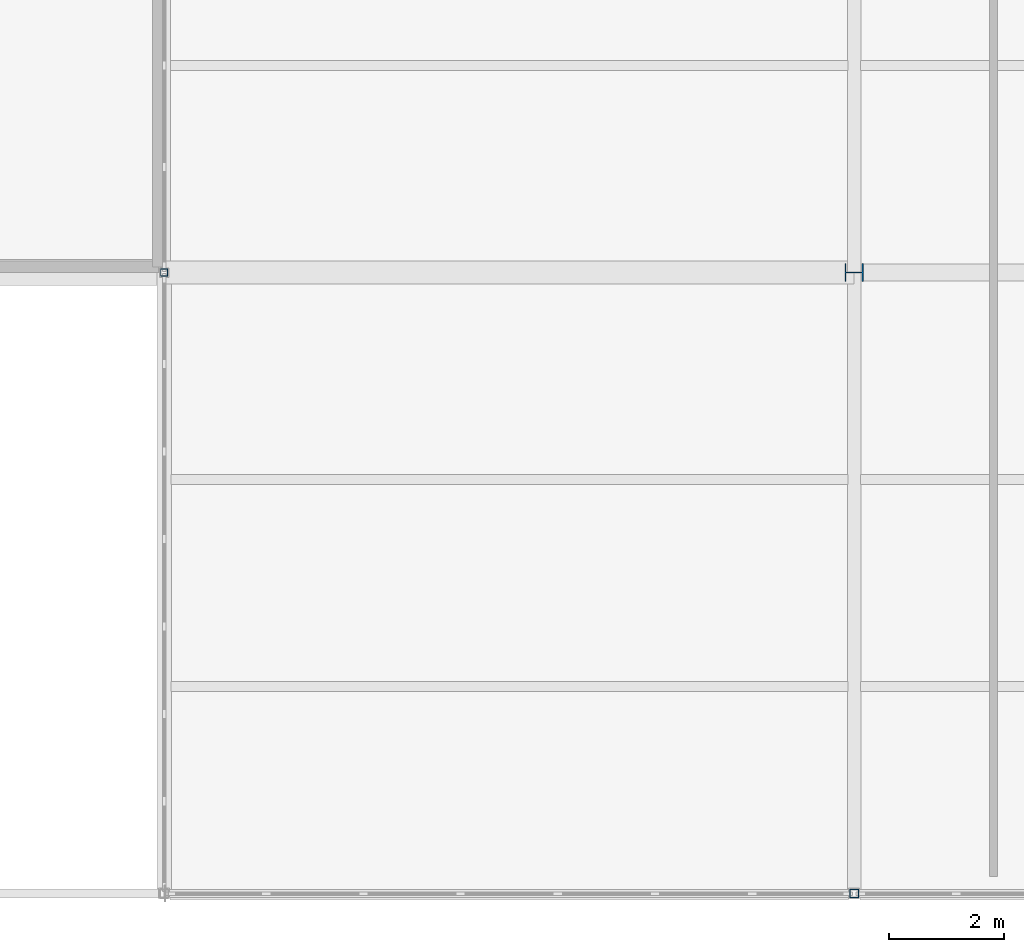
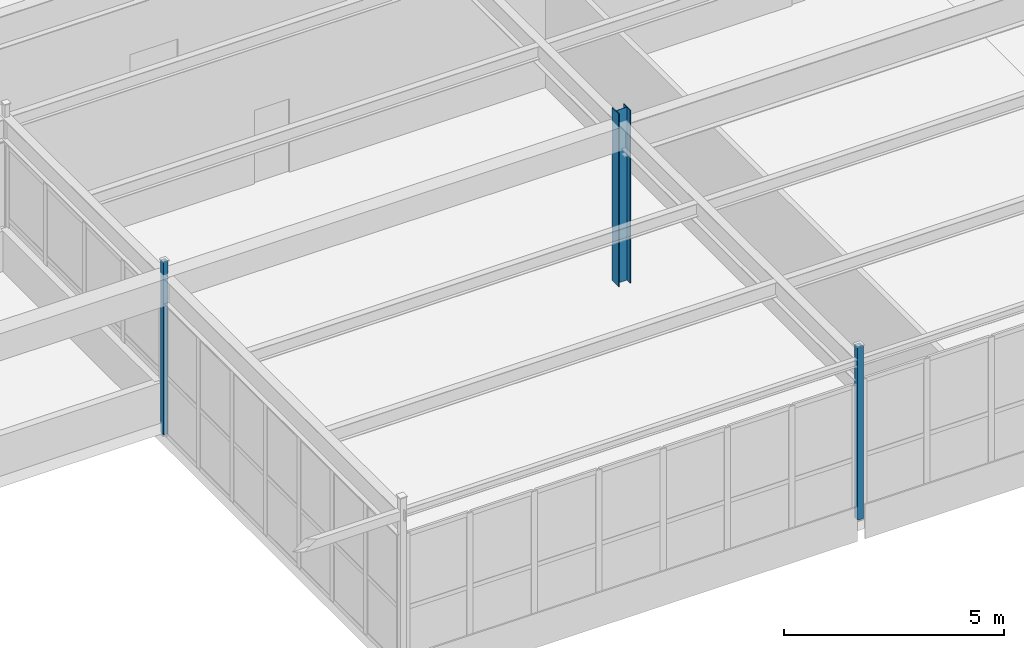
# One storey, part 39 of 226: 3 columns.
"""IFC4 building model written with IfcOpenShell, lengths in metres."""

from ifc_helpers import new_model, si_unit, direction, frame, origin, origin_2d, place, context, subcontext, project, spatial, hollow_rectangle, i_section, extrude, material, material_profile, profile_set, type_object, element, save


model = new_model("IFC4")

# Units and contexts
model_context = context("Model", 3, precision=1e-05, world=origin(), true_north=direction((0.0, 1.0)))
body_context = subcontext(model_context, "Body", "Model", "MODEL_VIEW")
ifc_project = project(units=[si_unit("LENGTHUNIT", "METRE"), si_unit("AREAUNIT", "SQUARE_METRE"), si_unit("VOLUMEUNIT", "CUBIC_METRE"), si_unit("PLANEANGLEUNIT", "RADIAN"), si_unit("MASSUNIT", "GRAM", prefix="KILO")], contexts=[model_context])

# Site, building, storey
site_placement = place(None, origin())
site = spatial("IfcSite", under=ifc_project, at=site_placement, CompositionType="ELEMENT")
building_placement = place(site_placement, origin())
building = spatial("IfcBuilding", under=site, at=building_placement, Name="Tarnwether General Hospital", CompositionType="ELEMENT")
storey_placement = place(building_placement, frame((0.0, 0.0, 4.800048828125)))
storey = spatial("IfcBuildingStorey", under=building, at=storey_placement, Name="L01", CompositionType="ELEMENT", Elevation=4.800048828125)

# Columns
ifc_material_1 = material(Name="Steel Grade 350 (350 MPa)", Category="steel")
ifc_material_profile_1 = material_profile(ifc_material_1, i_section(OverallWidth=0.30908203125, OverallDepth=0.321044921875, WebThickness=0.013916015625, FlangeThickness=0.021728515625, at=origin_2d()), Name="310UC137")
ifc_profile_set_1 = profile_set([ifc_material_profile_1], Name="Steel Grade 350 (350 MPa)")
column_type_1 = type_object("IfcColumnType", Name="COL-06", PredefinedType="COLUMN", material=ifc_profile_set_1)
column_1_placement = place(storey_placement, frame((156.0, 10.800048828125, 0.0), z_axis=(0.0, 0.0, 1.0), x_axis=(0.0, 1.0, 0.0)))
element("IfcColumn", 1, at=column_1_placement, inside=storey, type_object=column_type_1, Name="Column COLG-L01-15600_1080", PredefinedType="COLUMN", context=body_context, shape_type="SweptSolid", body=[
    extrude(i_section(OverallWidth=0.30908203125, OverallDepth=0.321044921875, WebThickness=0.013916015625, FlangeThickness=0.021728515625, at=origin_2d()), origin(), (0.0, 0.0, 1.0), 4.800048828125),
])
ifc_material_2 = material(Name="Steel Grade C350L0 (350 MPa)", Category="steel")
ifc_material_profile_2 = material_profile(ifc_material_2, hollow_rectangle(XDim=0.14990234375, YDim=0.14990234375, WallThickness=0.008056640625, at=origin_2d()), Name="SHS150x150x8")
ifc_profile_set_2 = profile_set([ifc_material_profile_2], Name="Steel Grade C350L0 (350 MPa)")
column_type_2 = type_object("IfcColumnType", Name="COL-33", PredefinedType="COLUMN", material=ifc_profile_set_2)
column_2_placement = place(storey_placement, frame((156.0, 0.0, 0.0), z_axis=(0.0, 0.0, 1.0), x_axis=(0.0, 1.0, 0.0)))
element("IfcColumn", 2, at=column_2_placement, inside=storey, type_object=column_type_2, Name="Column COLG-L01-15600_0", PredefinedType="COLUMN", context=body_context, shape_type="SweptSolid", body=[
    extrude(hollow_rectangle(XDim=0.14990234375, YDim=0.14990234375, WallThickness=0.008056640625, at=origin_2d()), origin(), (0.0, 0.0, 1.0), 4.800048828125),
])
ifc_material_3 = material(Name="Steel Grade C350L0 (350 MPa)", Category="steel")
ifc_material_profile_3 = material_profile(ifc_material_3, hollow_rectangle(XDim=0.125, YDim=0.125, WallThickness=0.006103515625, at=origin_2d()), Name="SHS125x125x6")
ifc_profile_set_3 = profile_set([ifc_material_profile_3], Name="Steel Grade C350L0 (350 MPa)")
column_type_3 = type_object("IfcColumnType", Name="COL-34", PredefinedType="COLUMN", material=ifc_profile_set_3)
column_3_placement = place(storey_placement, frame((144.0, 10.800048828125, 0.0), z_axis=(0.0, 0.0, 1.0), x_axis=(1.0, 0.0, 0.0)))
element("IfcColumn", 3, at=column_3_placement, inside=storey, type_object=column_type_3, Name="Column COLG-L01-14400_1080", PredefinedType="COLUMN", context=body_context, shape_type="SweptSolid", body=[
    extrude(hollow_rectangle(XDim=0.125, YDim=0.125, WallThickness=0.006103515625, at=origin_2d()), origin(), (0.0, 0.0, 1.0), 4.800048828125),
])

save(model, "model.ifc")
